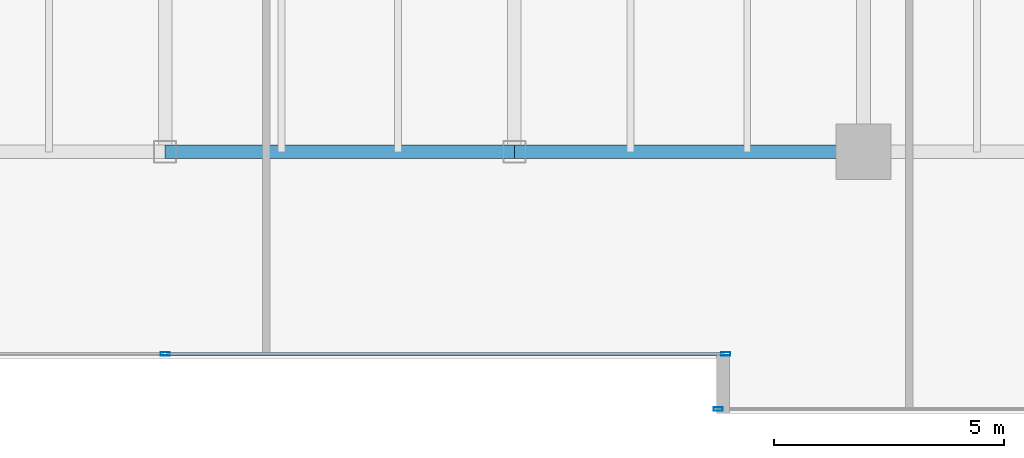
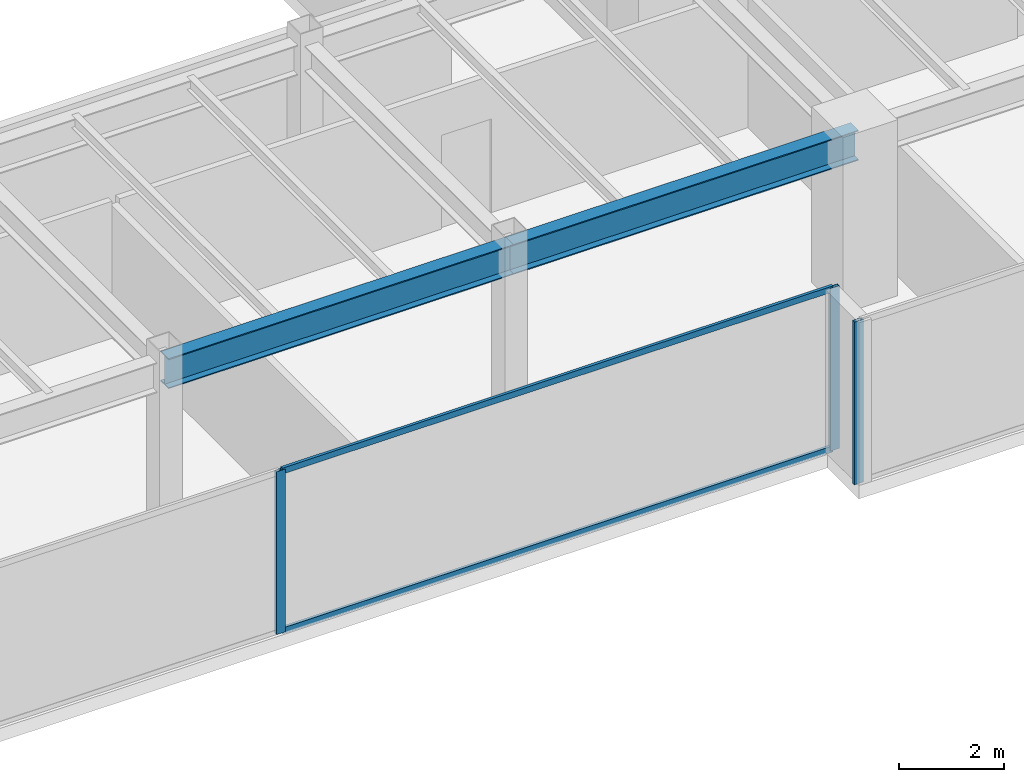
# One storey, part 10 of 30: 5 members, 2 beams, 2 elements without a shape of their own.
"""IFC4 building model written with IfcOpenShell, lengths in metres."""

from ifc_helpers import new_model, si_unit, direction, frame, origin, origin_2d, place, context, subcontext, project, spatial, hollow_rectangle, i_section, extrude, source, transform, mapped, material, layer, layer_set, material_profile, profile_set, type_object, type_shapes, element, aggregate, save


model = new_model("IFC4")

# Units and contexts
model_context = context("Model", 3, precision=1e-05, world=origin(), true_north=direction((0.0, 1.0)))
body_context = subcontext(model_context, "Body", "Model", "MODEL_VIEW")
ifc_project = project(units=[si_unit("LENGTHUNIT", "METRE"), si_unit("AREAUNIT", "SQUARE_METRE"), si_unit("VOLUMEUNIT", "CUBIC_METRE"), si_unit("PLANEANGLEUNIT", "RADIAN"), si_unit("MASSUNIT", "GRAM", prefix="KILO")], contexts=[model_context])

# Site, building, storey
site_placement = place(None, origin())
site = spatial("IfcSite", under=ifc_project, at=site_placement, CompositionType="ELEMENT")
building_placement = place(site_placement, origin())
building = spatial("IfcBuilding", under=site, at=building_placement, Name="Haelvirn Gate Laboratories", CompositionType="ELEMENT")
storey_placement = place(building_placement, frame((0.0, 0.0, 187.10009765625)))
storey = spatial("IfcBuildingStorey", under=building, at=storey_placement, Name="L45", CompositionType="ELEMENT", Elevation=187.10009765625)

# Beams
ifc_material_1 = material(Name="Steel SM355", Category="steel")
ifc_material_profile_1 = material_profile(ifc_material_1, i_section(OverallWidth=0.300048828125, OverallDepth=0.699951171875, WebThickness=0.012939453125, FlangeThickness=0.02392578125, at=origin_2d()), Name="H-700x300x13x24")
ifc_profile_set_1 = profile_set([ifc_material_profile_1], Name="Steel SM355")
beam_type = type_object("IfcBeamType", Name="BM-G-700", PredefinedType="BEAM", material=ifc_profile_set_1)
shared_shape_1 = source(origin(), body_context, "Body", "SweptSolid", [
    extrude(i_section(OverallWidth=0.300048828125, OverallDepth=0.699951171875, WebThickness=0.012939453125, FlangeThickness=0.02392578125, at=origin_2d()), origin(), (0.0, 0.0, 1.0), 7.60009765625),
])
type_shapes(beam_type, [shared_shape_1])
for number, where, z_axis, x_axis, name in (
    (1, (37.39990234375, 7.0, 3.43994140625), (1.0, 0.0, 0.0), (0.0, 1.0, 0.0), "L45 Primary Girder Y7.0 (37.4-45.0)"),
    (2, (45.0, 7.0, 3.43994140625), (1.0, 0.0, 0.0), (0.0, 1.0, 0.0), "L45 Primary Girder Y7.0 (45.0-52.6)"),
):
    element("IfcBeam", number, at=place(storey_placement, frame(where, z_axis=z_axis, x_axis=x_axis)), inside=storey, type_object=beam_type, Name=name, PredefinedType="BEAM", context=body_context, shape_type="MappedRepresentation", body=[
        mapped(shared_shape_1, transform((0.0, 0.0, 0.0), scale=1.0)),
    ])

# Curtain wall, members
ifc_material_2 = material(Name="Anodised bronze unitised aluminium & triple low-E glass", Category="aluminium")
ifc_layer = layer(ifc_material_2, 0.179931640625, Name="CW-SYS-3")
ifc_layer_set = layer_set([ifc_layer], Name="Anodised bronze unitised aluminium & triple low-E glass")
curtain_wall_type = type_object("IfcCurtainWallType", Name="CW-SYS-3", PredefinedType="NOTDEFINED", material=ifc_layer_set)
curtain_wall_1_placement = place(storey_placement, origin())
curtain_wall_1 = element("IfcCurtainWall", 3, at=curtain_wall_1_placement, inside=storey, type_object=curtain_wall_type, Name="L45 Unitised Curtain Wall CW-L45-P0-E02-1", PredefinedType="NOTDEFINED")
ifc_material_3 = material(Name="Extruded aluminium 6063-T6 (anodised bronze)", Category="aluminium")
ifc_material_profile_2 = material_profile(ifc_material_3, hollow_rectangle(XDim=0.06494140625, YDim=0.139892578125, WallThickness=0.00390625, at=origin_2d()), Name="CWT-140x65x4")
ifc_profile_set_2 = profile_set([ifc_material_profile_2], Name="Extruded aluminium 6063-T6 (anodised bronze)")
member_type_1 = type_object("IfcMemberType", Name="CWT-T140", PredefinedType="USERDEFINED", material=ifc_profile_set_2)
shared_shape_2 = source(origin(), body_context, "Body", "SweptSolid", [
    extrude(hollow_rectangle(XDim=0.06494140625, YDim=0.139892578125, WallThickness=0.00390625, at=origin_2d()), origin(), (0.0, 0.0, 1.0), 12.12744140625),
])
type_shapes(member_type_1, [shared_shape_2])
member_1_placement = place(storey_placement, frame((37.4375, 2.60009765625, 0.032470703125), z_axis=(1.0, 0.0, 0.0), x_axis=(0.0, 1.0, 0.0)))
member_1 = element("IfcMember", 4, at=member_1_placement, type_object=member_type_1, Name="CW3 transom 2.1", ObjectType="TRANSOM", PredefinedType="USERDEFINED", context=body_context, shape_type="MappedRepresentation", body=[
    mapped(shared_shape_2, transform((0.0, 0.0, 0.0), scale=1.0)),
])
member_2_placement = place(storey_placement, frame((37.4375, 2.60009765625, 3.75732421875), z_axis=(1.0, 0.0, 0.0), x_axis=(0.0, 1.0, 0.0)))
member_2 = element("IfcMember", 5, at=member_2_placement, type_object=member_type_1, Name="CW3 transom 2.2", ObjectType="TRANSOM", PredefinedType="USERDEFINED", context=body_context, shape_type="MappedRepresentation", body=[
    mapped(shared_shape_2, transform((0.0, 0.0, 0.0), scale=1.0)),
])
ifc_material_profile_3 = material_profile(ifc_material_3, hollow_rectangle(XDim=0.074951171875, YDim=0.199951171875, WallThickness=0.0048828125, at=origin_2d()), Name="CWM-200x75x5")
ifc_profile_set_3 = profile_set([ifc_material_profile_3], Name="Extruded aluminium 6063-T6 (anodised bronze)")
member_type_2 = type_object("IfcMemberType", Name="CWM-T200", PredefinedType="MULLION", material=ifc_profile_set_3)
shared_shape_3 = source(origin(), body_context, "Body", "SweptSolid", [
    extrude(hollow_rectangle(XDim=0.074951171875, YDim=0.199951171875, WallThickness=0.0048828125, at=origin_2d()), origin(), (0.0, 0.0, 1.0), 3.789794921875),
])
type_shapes(member_type_2, [shared_shape_3])
member_3_placement = place(storey_placement, frame((37.39990234375, 2.60009765625, 0.0), z_axis=(0.0, 0.0, 1.0), x_axis=(0.0, 1.0, 0.0)))
member_3 = element("IfcMember", 6, at=member_3_placement, type_object=member_type_2, Name="CW3 mullion 2", PredefinedType="MULLION", context=body_context, shape_type="MappedRepresentation", body=[
    mapped(shared_shape_3, transform((0.0, 0.0, 0.0), scale=1.0)),
])
member_4_placement = place(storey_placement, frame((49.6025390625, 2.60009765625, 0.0), z_axis=(0.0, 0.0, 1.0), x_axis=(0.0, 1.0, 0.0)))
member_4 = element("IfcMember", 7, at=member_4_placement, type_object=member_type_2, Name="CW3 mullion 3", PredefinedType="MULLION", context=body_context, shape_type="MappedRepresentation", body=[
    mapped(shared_shape_3, transform((0.0, 0.0, 0.0), scale=1.0)),
])
aggregate(curtain_wall_1, [member_3, member_4, member_1, member_2])

# Curtain wall, member
curtain_wall_2_placement = place(storey_placement, origin())
curtain_wall_2 = element("IfcCurtainWall", 8, at=curtain_wall_2_placement, inside=storey, type_object=curtain_wall_type, Name="L45 Unitised Curtain Wall CW-L45-P0-E04-1", PredefinedType="NOTDEFINED")
member_5_placement = place(storey_placement, frame((49.4375, 1.39990234375, 0.0), z_axis=(0.0, 0.0, 1.0), x_axis=(0.0, 1.0, 0.0)))
member_5 = element("IfcMember", 9, at=member_5_placement, type_object=member_type_2, Name="CW3 mullion 1", PredefinedType="MULLION", context=body_context, shape_type="MappedRepresentation", body=[
    mapped(shared_shape_3, transform((0.0, 0.0, 0.0), scale=1.0)),
])
aggregate(curtain_wall_2, [member_5])

save(model, "model.ifc")
